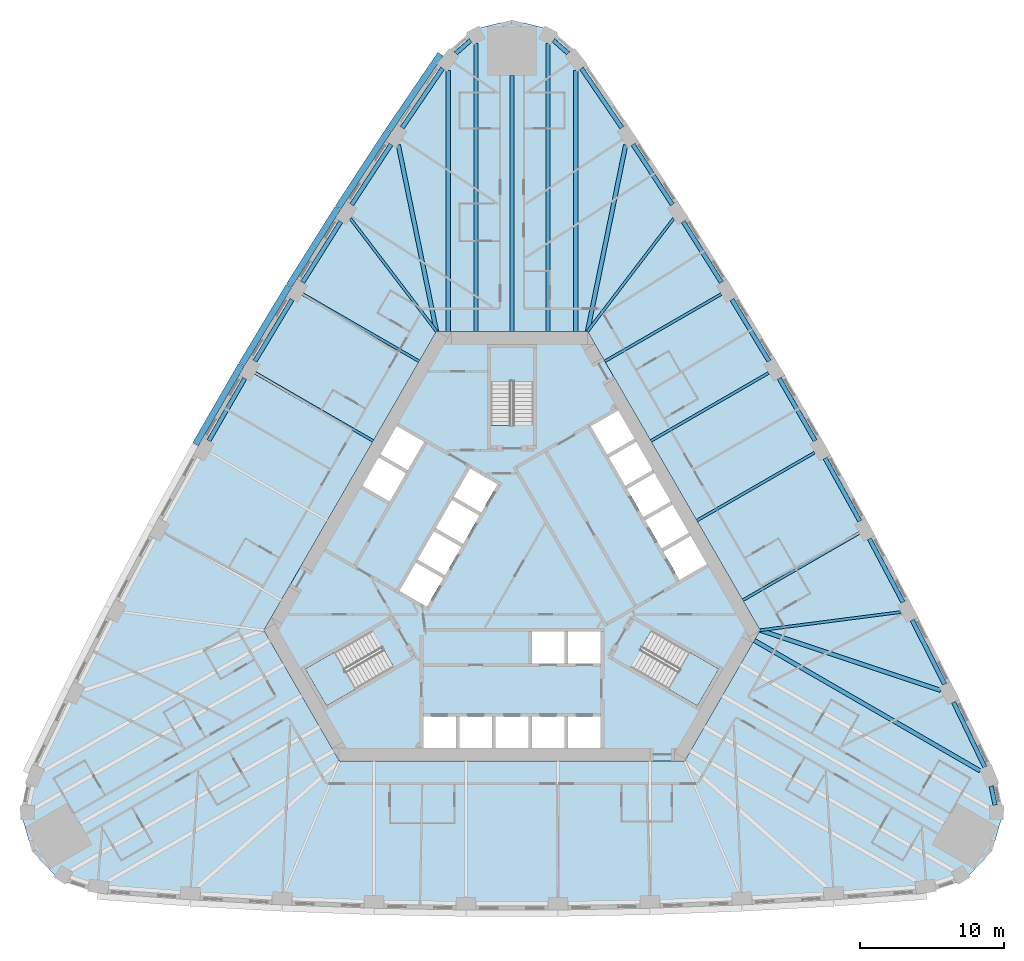
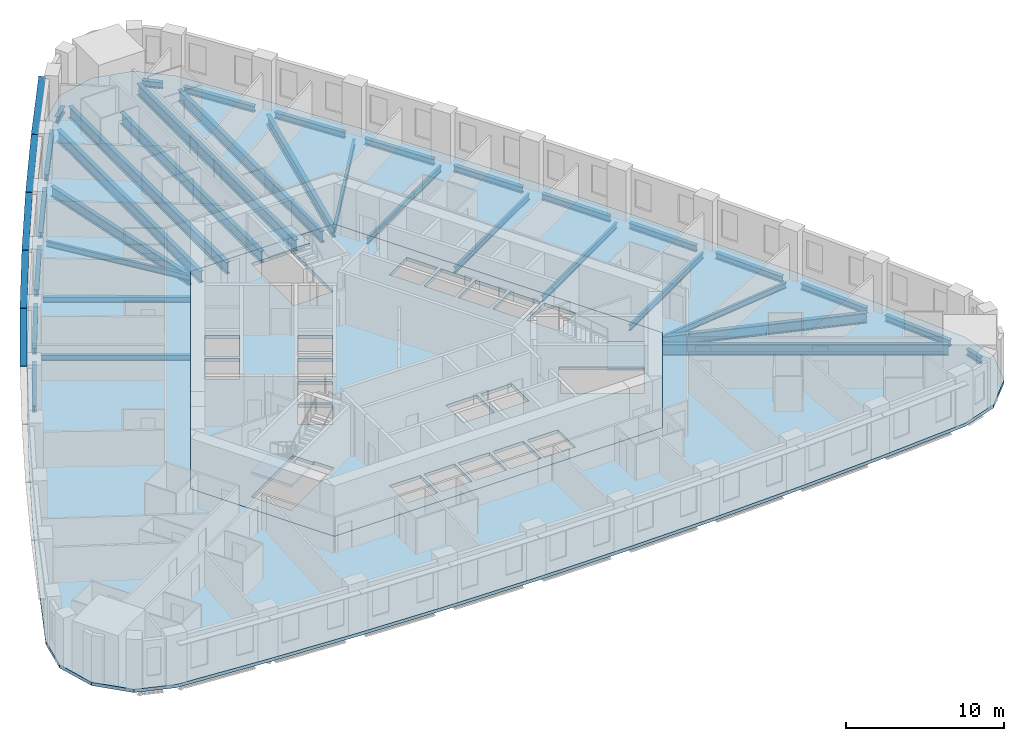
# One storey, part 2 of 13: 35 beams, 5 members, 5 slabs, 3 elements without a shape of their own.
"""IFC4 building model written with IfcOpenShell, lengths in metres."""

from ifc_helpers import new_model, si_unit, direction, frame, origin, origin_2d, place, context, subcontext, project, spatial, polyline, rectangle, i_section, outline, extrude, material, layer, layer_set, material_profile, profile_set, type_object, element, aggregate, save


model = new_model("IFC4")

# Units and contexts
model_context = context("Model", 3, precision=1e-05, world=origin(), true_north=direction((0.0, 1.0)))
body_context = subcontext(model_context, "Body", "Model", "MODEL_VIEW")
ifc_project = project(units=[si_unit("LENGTHUNIT", "METRE"), si_unit("AREAUNIT", "SQUARE_METRE"), si_unit("VOLUMEUNIT", "CUBIC_METRE"), si_unit("PLANEANGLEUNIT", "RADIAN"), si_unit("MASSUNIT", "GRAM", prefix="KILO")], contexts=[model_context])

# Site, building, storey
site_placement = place(None, origin())
site = spatial("IfcSite", under=ifc_project, at=site_placement, CompositionType="ELEMENT")
building_placement = place(site_placement, origin())
building = spatial("IfcBuilding", under=site, at=building_placement, Name="Mestral Congress Tower", CompositionType="ELEMENT")
storey_placement = place(building_placement, frame((0.0, 0.0, 54.89990234375)))
storey = spatial("IfcBuildingStorey", under=building, at=storey_placement, Name="L12", CompositionType="ELEMENT", Elevation=54.89990234375)

# Members
ifc_material_1 = material(Name="Glazed ceramic", Category="masonry")
ifc_material_profile_1 = material_profile(ifc_material_1, rectangle(XDim=0.449951171875, YDim=0.06005859375, at=origin_2d()), Name="Ceramic blade 450 x 60")
ifc_profile_set_1 = profile_set([ifc_material_profile_1], Name="Glazed ceramic")
member_type = type_object("IfcMemberType", Name="Facade sunshade blade 450 x 60", PredefinedType="USERDEFINED", material=ifc_profile_set_1)
member_1_placement = place(storey_placement, frame((-4.973388671875, 36.188232421875, 3.280029296875), z_axis=(-0.562633427576, -0.826706493367, 0.0), x_axis=(0.826706493367, -0.562633427576, 0.0)))
element("IfcMember", 1, at=member_1_placement, inside=storey, type_object=member_type, Name="Sunshade F2-00", ObjectType="SUNSHADE", PredefinedType="USERDEFINED", context=body_context, shape_type="SweptSolid", body=[
    extrude(rectangle(XDim=0.449951171875, YDim=0.06005859375, at=origin_2d()), origin(), (0.0, 0.0, 1.0), 6.4208984375),
])
member_2_placement = place(storey_placement, frame((-8.6103515625, 30.843505859375, 3.280029296875), z_axis=(-0.547211145376, -0.836994601163, 0.0), x_axis=(0.836994601163, -0.547211145376, 0.0)))
element("IfcMember", 2, at=member_2_placement, inside=storey, type_object=member_type, Name="Sunshade F2-01", ObjectType="SUNSHADE", PredefinedType="USERDEFINED", context=body_context, shape_type="SweptSolid", body=[
    extrude(rectangle(XDim=0.449951171875, YDim=0.06005859375, at=origin_2d()), origin(), (0.0, 0.0, 1.0), 6.368408203125),
])
for number, where, z_axis, x_axis, name in (
    (3, (-12.119140625, 25.47607421875, 3.280029296875), (-0.531665815747, -0.846954225662, 0.0), (0.846954225662, -0.531665815747, 0.0), "Sunshade F2-02"),
    (4, (-15.528076171875, 20.044921875, 3.280029296875), (-0.515904518528, -0.856646092481, 0.0), (0.856646092481, -0.515904518528, 0.0), "Sunshade F2-03"),
):
    element("IfcMember", number, at=place(storey_placement, frame(where, z_axis=z_axis, x_axis=x_axis)), inside=storey, type_object=member_type, Name=name, ObjectType="SUNSHADE", PredefinedType="USERDEFINED", context=body_context, shape_type="SweptSolid", body=[
        extrude(rectangle(XDim=0.449951171875, YDim=0.06005859375, at=origin_2d()), origin(), (0.0, 0.0, 1.0), 6.3681640625),
    ])
member_3_placement = place(storey_placement, frame((-18.8359375, 14.5517578125, 3.280029296875), z_axis=(-0.499990149842, -0.866031090701, 0.0), x_axis=(0.866031090701, -0.499990149842, 0.0)))
element("IfcMember", 5, at=member_3_placement, inside=storey, type_object=member_type, Name="Sunshade F2-04", ObjectType="SUNSHADE", PredefinedType="USERDEFINED", context=body_context, shape_type="SweptSolid", body=[
    extrude(rectangle(XDim=0.449951171875, YDim=0.06005859375, at=origin_2d()), origin(), (0.0, 0.0, 1.0), 6.368408203125),
])

# Beams
ifc_material_2 = material(Name="Steel S355", Category="steel")
ifc_material_profile_2 = material_profile(ifc_material_2, i_section(OverallWidth=0.300048828125, OverallDepth=0.800048828125, WebThickness=0.017578125, FlangeThickness=0.032958984375, FilletRadius=0.030029296875, at=origin_2d()), Name="HEB 800")
ifc_profile_set_2 = profile_set([ifc_material_profile_2], Name="Steel S355")
beam_type_1 = type_object("IfcBeamType", Name="Floor beam HEB 800 S355", PredefinedType="BEAM", material=ifc_profile_set_2)
for number, where, z_axis, x_axis, name in (
    (6, (29.8203125, -8.08349609375, -0.64990234375), (-0.948734931285, 0.316072824141, 0.0), (-0.316072824141, -0.948734931285, 0.0), "BM-L12-RB1-E01"),
    (7, (7.90966796875, 29.86669921875, -0.64990234375), (-0.200647311614, -0.979663542418, 0.0), (0.979663542418, -0.200647311614, 0.0), "BM-L12-RB1-E08"),
    (8, (-7.90966796875, 29.86669921875, -0.64990234375), (0.200647311614, -0.979663542418, 0.0), (0.979663542418, 0.200647311614, 0.0), "BM-L12-RB1-W01"),
):
    element("IfcBeam", number, at=place(storey_placement, frame(where, z_axis=z_axis, x_axis=x_axis)), inside=storey, type_object=beam_type_1, Name=name, PredefinedType="BEAM", context=body_context, shape_type="SweptSolid", body=[
        extrude(i_section(OverallWidth=0.300048828125, OverallDepth=0.800048828125, WebThickness=0.017578125, FlangeThickness=0.032958984375, FilletRadius=0.030029296875, at=origin_2d()), origin(), (0.0, 0.0, 1.0), 13.236083984375),
    ])
ifc_material_profile_3 = material_profile(ifc_material_2, i_section(OverallWidth=0.300048828125, OverallDepth=0.89990234375, WebThickness=0.0185546875, FlangeThickness=0.034912109375, FilletRadius=0.030029296875, at=origin_2d()), Name="HEB 900")
ifc_profile_set_3 = profile_set([ifc_material_profile_3], Name="Steel S355")
beam_type_2 = type_object("IfcBeamType", Name="Floor beam HEB 900 S355", PredefinedType="BEAM", material=ifc_profile_set_3)
beam_1_placement = place(storey_placement, frame((32.574462890625, -13.6845703125, -0.699951171875), z_axis=(-0.866029704776, 0.49999255039, 0.0), x_axis=(-0.49999255039, -0.866029704776, 0.0)))
element("IfcBeam", 9, at=beam_1_placement, inside=storey, type_object=beam_type_2, Name="BM-L12-RB1-E00", PredefinedType="BEAM", context=body_context, shape_type="SweptSolid", body=[
    extrude(i_section(OverallWidth=0.300048828125, OverallDepth=0.89990234375, WebThickness=0.0185546875, FlangeThickness=0.034912109375, FilletRadius=0.030029296875, at=origin_2d()), origin(), (0.0, 0.0, 1.0), 18.152587890625),
])
beam_2_placement = place(storey_placement, frame((4.43603515625, 35.052734375, -0.699951171875), z_axis=(0.0, -1.0, 0.0), x_axis=(1.0, 0.0, 0.0)))
element("IfcBeam", 10, at=beam_2_placement, inside=storey, type_object=beam_type_2, Name="BM-L12-RB1-E09", PredefinedType="BEAM", context=body_context, shape_type="SweptSolid", body=[
    extrude(i_section(OverallWidth=0.300048828125, OverallDepth=0.89990234375, WebThickness=0.0185546875, FlangeThickness=0.034912109375, FilletRadius=0.030029296875, at=origin_2d()), origin(), (0.0, 0.0, 1.0), 18.15283203125),
])
beam_3_placement = place(storey_placement, frame((2.503173828125, 36.91943359375, -0.699951171875), z_axis=(0.0, -1.0, 0.0), x_axis=(1.0, 0.0, 0.0)))
element("IfcBeam", 11, at=beam_3_placement, inside=storey, type_object=beam_type_2, Name="BM-L12-RB1-N1", PredefinedType="BEAM", context=body_context, shape_type="SweptSolid", body=[
    extrude(i_section(OverallWidth=0.300048828125, OverallDepth=0.89990234375, WebThickness=0.0185546875, FlangeThickness=0.034912109375, FilletRadius=0.030029296875, at=origin_2d()), origin(), (0.0, 0.0, 1.0), 20.01953125),
])
beam_4_placement = place(storey_placement, frame((0.0, 34.698974609375, -0.699951171875), z_axis=(0.0, -1.0, 0.0), x_axis=(1.0, 0.0, 0.0)))
element("IfcBeam", 12, at=beam_4_placement, inside=storey, type_object=beam_type_2, Name="BM-L12-RB1-N", PredefinedType="BEAM", context=body_context, shape_type="SweptSolid", body=[
    extrude(i_section(OverallWidth=0.300048828125, OverallDepth=0.89990234375, WebThickness=0.0185546875, FlangeThickness=0.034912109375, FilletRadius=0.030029296875, at=origin_2d()), origin(), (0.0, 0.0, 1.0), 17.799072265625),
])
beam_5_placement = place(storey_placement, frame((-2.503173828125, 36.91943359375, -0.699951171875), z_axis=(0.0, -1.0, 0.0), x_axis=(1.0, 0.0, 0.0)))
element("IfcBeam", 13, at=beam_5_placement, inside=storey, type_object=beam_type_2, Name="BM-L12-RB1-N3", PredefinedType="BEAM", context=body_context, shape_type="SweptSolid", body=[
    extrude(i_section(OverallWidth=0.300048828125, OverallDepth=0.89990234375, WebThickness=0.0185546875, FlangeThickness=0.034912109375, FilletRadius=0.030029296875, at=origin_2d()), origin(), (0.0, 0.0, 1.0), 20.01953125),
])
beam_6_placement = place(storey_placement, frame((-4.43603515625, 35.052734375, -0.699951171875), z_axis=(0.0, -1.0, 0.0), x_axis=(1.0, 0.0, 0.0)))
element("IfcBeam", 14, at=beam_6_placement, inside=storey, type_object=beam_type_2, Name="BM-L12-RB1-W00", PredefinedType="BEAM", context=body_context, shape_type="SweptSolid", body=[
    extrude(i_section(OverallWidth=0.300048828125, OverallDepth=0.89990234375, WebThickness=0.0185546875, FlangeThickness=0.034912109375, FilletRadius=0.030029296875, at=origin_2d()), origin(), (0.0, 0.0, 1.0), 18.15283203125),
])
ifc_material_profile_4 = material_profile(ifc_material_2, i_section(OverallWidth=0.18994140625, OverallDepth=0.449951171875, WebThickness=0.009521484375, FlangeThickness=0.0146484375, FilletRadius=0.02099609375, at=origin_2d()), Name="IPE 450")
ifc_profile_set_4 = profile_set([ifc_material_profile_4], Name="Steel S355")
beam_type_3 = type_object("IfcBeamType", Name="Floor beam IPE 450 S355", PredefinedType="BEAM", material=ifc_profile_set_4)
beam_7_placement = place(storey_placement, frame((27.058349609375, -2.6337890625, -0.474853515625), z_axis=(-0.99175011495, -0.128186229747, 0.0), x_axis=(0.128186229747, -0.99175011495, 0.0)))
element("IfcBeam", 15, at=beam_7_placement, inside=storey, type_object=beam_type_3, Name="BM-L12-RB1-E02", PredefinedType="BEAM", context=body_context, shape_type="SweptSolid", body=[
    extrude(i_section(OverallWidth=0.18994140625, OverallDepth=0.449951171875, WebThickness=0.009521484375, FlangeThickness=0.0146484375, FilletRadius=0.02099609375, at=origin_2d()), origin(), (0.0, 0.0, 1.0), 9.877197265625),
])
beam_8_placement = place(storey_placement, frame((24.150634765625, 2.859619140625, -0.474853515625), z_axis=(-0.866032011123, -0.499988555579, 0.0), x_axis=(0.499988555579, -0.866032011123, 0.0)))
element("IfcBeam", 16, at=beam_8_placement, inside=storey, type_object=beam_type_3, Name="BM-L12-RB1-E03", PredefinedType="BEAM", context=body_context, shape_type="SweptSolid", body=[
    extrude(i_section(OverallWidth=0.18994140625, OverallDepth=0.449951171875, WebThickness=0.009521484375, FlangeThickness=0.0146484375, FilletRadius=0.02099609375, at=origin_2d()), origin(), (0.0, 0.0, 1.0), 9.344970703125),
])
for number, where, z_axis, x_axis, name in (
    (17, (21.0537109375, 8.46044921875, -0.474853515625), (-0.866019749231, -0.500009793847, 0.0), (0.500009793847, -0.866019749231, 0.0), "BM-L12-RB1-E04"),
    (18, (17.853759765625, 14.0029296875, -0.474853515625), (-0.866019749231, -0.500009793847, 0.0), (0.500009793847, -0.866019749231, 0.0), "BM-L12-RB1-E05"),
):
    element("IfcBeam", number, at=place(storey_placement, frame(where, z_axis=z_axis, x_axis=x_axis)), inside=storey, type_object=beam_type_3, Name=name, PredefinedType="BEAM", context=body_context, shape_type="SweptSolid", body=[
        extrude(i_section(OverallWidth=0.18994140625, OverallDepth=0.449951171875, WebThickness=0.009521484375, FlangeThickness=0.0146484375, FilletRadius=0.02099609375, at=origin_2d()), origin(), (0.0, 0.0, 1.0), 9.463134765625),
    ])
beam_9_placement = place(storey_placement, frame((14.5517578125, 19.485107421875, -0.474853515625), z_axis=(-0.866025479842, -0.499999868264, 0.0), x_axis=(0.499999868264, -0.866025479842, 0.0)))
element("IfcBeam", 19, at=beam_9_placement, inside=storey, type_object=beam_type_3, Name="BM-L12-RB1-E06", PredefinedType="BEAM", context=body_context, shape_type="SweptSolid", body=[
    extrude(i_section(OverallWidth=0.18994140625, OverallDepth=0.449951171875, WebThickness=0.009521484375, FlangeThickness=0.0146484375, FilletRadius=0.02099609375, at=origin_2d()), origin(), (0.0, 0.0, 1.0), 9.3447265625),
])
for number, where, z_axis, x_axis, name in (
    (20, (11.248291015625, 24.75, -0.474853515625), (-0.606898557801, -0.794779303039, 0.0), (0.794779303039, -0.606898557801, 0.0), "BM-L12-RB1-E07"),
    (21, (-11.248291015625, 24.75, -0.474853515625), (0.606898557801, -0.794779303039, 0.0), (0.794779303039, 0.606898557801, 0.0), "BM-L12-RB1-W02"),
):
    element("IfcBeam", number, at=place(storey_placement, frame(where, z_axis=z_axis, x_axis=x_axis)), inside=storey, type_object=beam_type_3, Name=name, PredefinedType="BEAM", context=body_context, shape_type="SweptSolid", body=[
        extrude(i_section(OverallWidth=0.18994140625, OverallDepth=0.449951171875, WebThickness=0.009521484375, FlangeThickness=0.0146484375, FilletRadius=0.02099609375, at=origin_2d()), origin(), (0.0, 0.0, 1.0), 9.877197265625),
    ])
beam_10_placement = place(storey_placement, frame((-14.5517578125, 19.485107421875, -0.474853515625), z_axis=(0.866025479842, -0.499999868264, 0.0), x_axis=(0.499999868264, 0.866025479842, 0.0)))
element("IfcBeam", 22, at=beam_10_placement, inside=storey, type_object=beam_type_3, Name="BM-L12-RB1-W03", PredefinedType="BEAM", context=body_context, shape_type="SweptSolid", body=[
    extrude(i_section(OverallWidth=0.18994140625, OverallDepth=0.449951171875, WebThickness=0.009521484375, FlangeThickness=0.0146484375, FilletRadius=0.02099609375, at=origin_2d()), origin(), (0.0, 0.0, 1.0), 9.3447265625),
])
beam_11_placement = place(storey_placement, frame((-17.853759765625, 14.0029296875, -0.474853515625), z_axis=(0.866019749231, -0.500009793847, 0.0), x_axis=(0.500009793847, 0.866019749231, 0.0)))
element("IfcBeam", 23, at=beam_11_placement, inside=storey, type_object=beam_type_3, Name="BM-L12-RB1-W04", PredefinedType="BEAM", context=body_context, shape_type="SweptSolid", body=[
    extrude(i_section(OverallWidth=0.18994140625, OverallDepth=0.449951171875, WebThickness=0.009521484375, FlangeThickness=0.0146484375, FilletRadius=0.02099609375, at=origin_2d()), origin(), (0.0, 0.0, 1.0), 9.463134765625),
])
ifc_material_profile_5 = material_profile(ifc_material_2, i_section(OverallWidth=0.300048828125, OverallDepth=0.489990234375, WebThickness=0.011962890625, FlangeThickness=0.02294921875, FilletRadius=0.027099609375, at=origin_2d()), Name="HEA 500")
ifc_profile_set_5 = profile_set([ifc_material_profile_5], Name="Steel S355")
beam_type_4 = type_object("IfcBeamType", Name="Spandrel beam HEA 500 S355", PredefinedType="BEAM", material=ifc_profile_set_5)
beam_12_placement = place(storey_placement, frame((33.611328125, -16.0693359375, -0.494873046875), z_axis=(-0.197991750859, 0.980203686277, 0.0), x_axis=(-0.980203686277, -0.197991750859, 0.0)))
element("IfcBeam", 24, at=beam_12_placement, inside=storey, type_object=beam_type_4, Name="SP-L12-SB1-SE3", PredefinedType="BEAM", context=body_context, shape_type="SweptSolid", body=[
    extrude(i_section(OverallWidth=0.300048828125, OverallDepth=0.489990234375, WebThickness=0.011962890625, FlangeThickness=0.02294921875, FilletRadius=0.027099609375, at=origin_2d()), origin(), (0.0, 0.0, 1.0), 1.3515625),
])
beam_13_placement = place(storey_placement, frame((32.897705078125, -13.415283203125, -0.494873046875), z_axis=(-0.434645244295, 0.900601749727, 0.0), x_axis=(-0.900601749727, -0.434645244295, 0.0)))
element("IfcBeam", 25, at=beam_13_placement, inside=storey, type_object=beam_type_4, Name="SP-L12-SB1-E00", PredefinedType="BEAM", context=body_context, shape_type="SweptSolid", body=[
    extrude(i_section(OverallWidth=0.300048828125, OverallDepth=0.489990234375, WebThickness=0.011962890625, FlangeThickness=0.02294921875, FilletRadius=0.027099609375, at=origin_2d()), origin(), (0.0, 0.0, 1.0), 4.998046875),
])
beam_14_placement = place(storey_placement, frame((30.105224609375, -7.658935546875, -0.494873046875), z_axis=(-0.45123261425, 0.892406369227, 0.0), x_axis=(-0.892406369227, -0.45123261425, 0.0)))
element("IfcBeam", 26, at=beam_14_placement, inside=storey, type_object=beam_type_4, Name="SP-L12-SB1-E01", PredefinedType="BEAM", context=body_context, shape_type="SweptSolid", body=[
    extrude(i_section(OverallWidth=0.300048828125, OverallDepth=0.489990234375, WebThickness=0.011962890625, FlangeThickness=0.02294921875, FilletRadius=0.027099609375, at=origin_2d()), origin(), (0.0, 0.0, 1.0), 4.999755859375),
])
beam_15_placement = place(storey_placement, frame((27.2060546875, -1.95361328125, -0.494873046875), z_axis=(-0.467681307417, 0.883897162962, 0.0), x_axis=(-0.883897162962, -0.467681307417, 0.0)))
element("IfcBeam", 27, at=beam_15_placement, inside=storey, type_object=beam_type_4, Name="SP-L12-SB1-E02", PredefinedType="BEAM", context=body_context, shape_type="SweptSolid", body=[
    extrude(i_section(OverallWidth=0.300048828125, OverallDepth=0.489990234375, WebThickness=0.011962890625, FlangeThickness=0.02294921875, FilletRadius=0.027099609375, at=origin_2d()), origin(), (0.0, 0.0, 1.0), 5.0),
])
for number, where, z_axis, x_axis, name in (
    (28, (24.20166015625, 3.697265625, -0.494873046875), (-0.483900688062, 0.875122919419, 0.0), (-0.875122919419, -0.483900688062, 0.0), "SP-L12-SB1-E03"),
    (29, (21.093505859375, 9.291748046875, -0.494873046875), (-0.50002537861, 0.866010750942, 0.0), (-0.866010750942, -0.50002537861, 0.0), "SP-L12-SB1-E04"),
    (30, (17.88232421875, 14.82763671875, -0.494873046875), (-0.515938385622, 0.85662569553, 0.0), (-0.85662569553, -0.515938385622, 0.0), "SP-L12-SB1-E05"),
    (31, (14.5693359375, 20.302978515625, -0.494873046875), (-0.531661433361, 0.846956976639, 0.0), (-0.846956976639, -0.531661433361, 0.0), "SP-L12-SB1-E06"),
):
    element("IfcBeam", number, at=place(storey_placement, frame(where, z_axis=z_axis, x_axis=x_axis)), inside=storey, type_object=beam_type_4, Name=name, PredefinedType="BEAM", context=body_context, shape_type="SweptSolid", body=[
        extrude(i_section(OverallWidth=0.300048828125, OverallDepth=0.489990234375, WebThickness=0.011962890625, FlangeThickness=0.02294921875, FilletRadius=0.027099609375, at=origin_2d()), origin(), (0.0, 0.0, 1.0), 4.999755859375),
    ])
beam_16_placement = place(storey_placement, frame((11.156005859375, 25.716552734375, -0.494873046875), z_axis=(-0.547263834194, 0.836960151849, 0.0), x_axis=(-0.836960151849, -0.547263834194, 0.0)))
element("IfcBeam", 32, at=beam_16_placement, inside=storey, type_object=beam_type_4, Name="SP-L12-SB1-E07", PredefinedType="BEAM", context=body_context, shape_type="SweptSolid", body=[
    extrude(i_section(OverallWidth=0.300048828125, OverallDepth=0.489990234375, WebThickness=0.011962890625, FlangeThickness=0.02294921875, FilletRadius=0.027099609375, at=origin_2d()), origin(), (0.0, 0.0, 1.0), 5.0),
])
beam_17_placement = place(storey_placement, frame((7.642822265625, 31.06591796875, -0.494873046875), z_axis=(-0.562610596841, 0.826722030868, 0.0), x_axis=(-0.826722030868, -0.562610596841, 0.0)))
element("IfcBeam", 33, at=beam_17_placement, inside=storey, type_object=beam_type_4, Name="SP-L12-SB1-E08", PredefinedType="BEAM", context=body_context, shape_type="SweptSolid", body=[
    extrude(i_section(OverallWidth=0.300048828125, OverallDepth=0.489990234375, WebThickness=0.011962890625, FlangeThickness=0.02294921875, FilletRadius=0.027099609375, at=origin_2d()), origin(), (0.0, 0.0, 1.0), 4.998046875),
])
for number, where, z_axis, x_axis, name in (
    (34, (3.902587890625, 36.248779296875, -0.494873046875), (-0.749806226219, 0.661657481725, 0.0), (-0.661657481725, -0.749806226219, 0.0), "SP-L12-SB1-E09"),
    (35, (-2.88916015625, 37.14306640625, -0.494873046875), (-0.749806226219, -0.661657481725, 0.0), (0.661657481725, -0.749806226219, 0.0), "SP-L12-SB1-N3"),
):
    element("IfcBeam", number, at=place(storey_placement, frame(where, z_axis=z_axis, x_axis=x_axis)), inside=storey, type_object=beam_type_4, Name=name, PredefinedType="BEAM", context=body_context, shape_type="SweptSolid", body=[
        extrude(i_section(OverallWidth=0.300048828125, OverallDepth=0.489990234375, WebThickness=0.011962890625, FlangeThickness=0.02294921875, FilletRadius=0.027099609375, at=origin_2d()), origin(), (0.0, 0.0, 1.0), 1.3515625),
    ])
beam_18_placement = place(storey_placement, frame((-4.830810546875, 35.197998046875, -0.494873046875), z_axis=(-0.562610596841, -0.826722030868, 0.0), x_axis=(0.826722030868, -0.562610596841, 0.0)))
element("IfcBeam", 36, at=beam_18_placement, inside=storey, type_object=beam_type_4, Name="SP-L12-SB1-W00", PredefinedType="BEAM", context=body_context, shape_type="SweptSolid", body=[
    extrude(i_section(OverallWidth=0.300048828125, OverallDepth=0.489990234375, WebThickness=0.011962890625, FlangeThickness=0.02294921875, FilletRadius=0.027099609375, at=origin_2d()), origin(), (0.0, 0.0, 1.0), 4.998046875),
])
beam_19_placement = place(storey_placement, frame((-8.419677734375, 29.9013671875, -0.494873046875), z_axis=(-0.547263834194, -0.836960151849, 0.0), x_axis=(0.836960151849, -0.547263834194, 0.0)))
element("IfcBeam", 37, at=beam_19_placement, inside=storey, type_object=beam_type_4, Name="SP-L12-SB1-W01", PredefinedType="BEAM", context=body_context, shape_type="SweptSolid", body=[
    extrude(i_section(OverallWidth=0.300048828125, OverallDepth=0.489990234375, WebThickness=0.011962890625, FlangeThickness=0.02294921875, FilletRadius=0.027099609375, at=origin_2d()), origin(), (0.0, 0.0, 1.0), 5.0),
])
for number, where, z_axis, x_axis, name in (
    (38, (-11.9111328125, 24.53759765625, -0.494873046875), (-0.531661433361, -0.846956976639, 0.0), (0.846956976639, -0.531661433361, 0.0), "SP-L12-SB1-W02"),
    (39, (-15.302734375, 19.110595703125, -0.494873046875), (-0.515938385622, -0.85662569553, 0.0), (0.85662569553, -0.515938385622, 0.0), "SP-L12-SB1-W03"),
    (40, (-18.593505859375, 13.62158203125, -0.494873046875), (-0.50002537861, -0.866010750942, 0.0), (0.866010750942, -0.50002537861, 0.0), "SP-L12-SB1-W04"),
):
    element("IfcBeam", number, at=place(storey_placement, frame(where, z_axis=z_axis, x_axis=x_axis)), inside=storey, type_object=beam_type_4, Name=name, PredefinedType="BEAM", context=body_context, shape_type="SweptSolid", body=[
        extrude(i_section(OverallWidth=0.300048828125, OverallDepth=0.489990234375, WebThickness=0.011962890625, FlangeThickness=0.02294921875, FilletRadius=0.027099609375, at=origin_2d()), origin(), (0.0, 0.0, 1.0), 4.999755859375),
    ])

# Slabs
ifc_material_3 = material(Name="Concrete C35/45", Category="concrete")
ifc_layer_1 = layer(ifc_material_3, 0.25)
ifc_layer_set_1 = layer_set([ifc_layer_1], Name="Concrete C35/45")
slab_type_1 = type_object("IfcSlabType", Name="Composite floor slab 250", PredefinedType="FLOOR", material=ifc_layer_set_1)
placement_1 = place(storey_placement, frame((0.0, 0.0, -0.25)))
element("IfcSlab", 41, at=placement_1, inside=storey, type_object=slab_type_1, Name="SL-L12", PredefinedType="FLOOR", context=body_context, shape_type="SweptSolid", body=[
    extrude(outline(polyline([(-28.8564453125, -22.17529296875), (-31.45849609375, -21.301025390625), (-33.39599609375, -19.28125), (-34.176513671875, -16.59326171875), (-33.6328125, -13.90283203125), (-30.824462890625, -8.084228515625), (-27.93310546875, -2.365478515625), (-24.936279296875, 3.298828125), (-21.835205078125, 8.90673828125), (-18.631103515625, 14.45654296875), (-15.324951171875, 19.946044921875), (-11.91796875, 25.373291015625), (-8.4111328125, 30.737060546875), (-4.776123046875, 36.078125), (-2.718017578125, 37.894287109375), (0.0, 38.562255859375), (2.718017578125, 37.894287109375), (4.776123046875, 36.078125), (8.4111328125, 30.737060546875), (11.91796875, 25.373291015625), (15.324951171875, 19.946044921875), (18.631103515625, 14.45654296875), (21.835205078125, 8.90673828125), (24.936279296875, 3.298828125), (27.93310546875, -2.365478515625), (30.824462890625, -8.084228515625), (33.6328125, -13.90283203125), (34.176513671875, -16.59326171875), (33.39599609375, -19.28125), (31.45849609375, -21.301025390625), (28.8564453125, -22.17529296875), (22.41357421875, -22.652587890625), (16.01513671875, -23.0078125), (9.611083984375, -23.244873046875), (3.2041015625, -23.36328125), (-3.2041015625, -23.36328125), (-9.611083984375, -23.244873046875), (-16.01513671875, -23.0078125), (-22.41357421875, -22.652587890625), (-28.8564453125, -22.17529296875)]), holes=[polyline([(-5.25390625, 16.89990234375), (-17.2626953125, -3.89990234375), (-12.0087890625, -13.0), (12.0087890625, -13.0), (17.2626953125, -3.89990234375), (5.25390625, 16.89990234375), (-5.25390625, 16.89990234375)])]), origin(), (0.0, 0.0, 1.0), 0.25),
])
ifc_material_4 = material(Name="Concrete C60/75", Category="concrete")
ifc_layer_2 = layer(ifc_material_4, 0.25)
ifc_layer_set_2 = layer_set([ifc_layer_2], Name="Concrete C60/75")
slab_type_2 = type_object("IfcSlabType", Name="Core floor slab RC 250", PredefinedType="FLOOR", material=ifc_layer_set_2)
element("IfcSlab", 42, at=placement_1, inside=storey, type_object=slab_type_2, Name="L12 core floor", PredefinedType="FLOOR", context=body_context, shape_type="SweptSolid", body=[
    extrude(outline(polyline([(12.0087890625, -13.0), (-12.0087890625, -13.0), (-17.2626953125, -3.89990234375), (-5.25390625, 16.89990234375), (5.25390625, 16.89990234375), (17.2626953125, -3.89990234375), (12.0087890625, -13.0)]), holes=[polyline([(-3.905029296875, -9.89990234375), (-6.175048828125, -9.89990234375), (-6.175048828125, -12.10009765625), (-3.905029296875, -12.10009765625), (-3.905029296875, -9.89990234375)]), polyline([(-1.385009765625, -9.89990234375), (-3.655029296875, -9.89990234375), (-3.655029296875, -12.10009765625), (-1.385009765625, -12.10009765625), (-1.385009765625, -9.89990234375)]), polyline([(1.135009765625, -9.89990234375), (-1.135009765625, -9.89990234375), (-1.135009765625, -12.10009765625), (1.135009765625, -12.10009765625), (1.135009765625, -9.89990234375)]), polyline([(-9.0673828125, -5.235107421875), (-9.8046875, -3.95751953125), (-14.37744140625, -6.59765625), (-12.90234375, -9.15234375), (-8.234619140625, -6.45751953125), (-8.971923828125, -5.179931640625), (-9.0673828125, -5.235107421875)]), polyline([(-7.826904296875, -1.156494140625), (-5.921630859375, -2.256591796875), (-4.78662109375, -0.29052734375), (-6.69189453125, 0.809326171875), (-7.826904296875, -1.156494140625)]), polyline([(-4.66162109375, -0.07421875), (-3.526611328125, 1.8916015625), (-5.431884765625, 2.99169921875), (-6.56689453125, 1.02587890625), (-4.66162109375, -0.07421875)]), polyline([(-3.401611328125, 2.1083984375), (-2.2666015625, 4.07421875), (-4.171875, 5.174072265625), (-5.306884765625, 3.208251953125), (-3.401611328125, 2.1083984375)]), polyline([(-2.1416015625, 4.29052734375), (-1.006591796875, 6.256591796875), (-2.911865234375, 7.3564453125), (-4.046875, 5.390625), (-2.1416015625, 4.29052734375)]), polyline([(-10.41650390625, 6.158203125), (-8.51123046875, 5.058349609375), (-7.376220703125, 7.024169921875), (-9.281494140625, 8.1240234375), (-10.41650390625, 6.158203125)]), polyline([(-9.156494140625, 8.340576171875), (-7.251220703125, 7.240478515625), (-6.1162109375, 9.20654296875), (-8.021484375, 10.306396484375), (-9.156494140625, 8.340576171875)]), polyline([(1.47509765625, 10.469970703125), (1.47509765625, 15.75), (-1.47509765625, 15.75), (-1.47509765625, 10.360107421875), (0.0, 10.360107421875), (0.0, 10.469970703125), (1.47509765625, 10.469970703125)]), polyline([(3.655029296875, -9.89990234375), (1.385009765625, -9.89990234375), (1.385009765625, -12.10009765625), (3.655029296875, -12.10009765625), (3.655029296875, -9.89990234375)]), polyline([(6.175048828125, -9.89990234375), (3.905029296875, -9.89990234375), (3.905029296875, -12.10009765625), (6.175048828125, -12.10009765625), (6.175048828125, -9.89990234375)]), polyline([(9.0673828125, -5.235107421875), (8.329833984375, -6.512451171875), (12.90234375, -9.15234375), (14.37744140625, -6.59765625), (9.70947265625, -3.902587890625), (8.971923828125, -5.179931640625), (9.0673828125, -5.235107421875)]), polyline([(3.655029296875, -6.199951171875), (3.655029296875, -4.0), (1.385009765625, -4.0), (1.385009765625, -6.199951171875), (3.655029296875, -6.199951171875)]), polyline([(6.175048828125, -4.0), (3.905029296875, -4.0), (3.905029296875, -6.199951171875), (6.175048828125, -6.199951171875), (6.175048828125, -4.0)]), polyline([(12.431396484375, 2.668212890625), (10.526123046875, 1.568115234375), (11.6611328125, -0.397705078125), (13.56640625, 0.702392578125), (12.431396484375, 2.668212890625)]), polyline([(11.17138671875, 4.8505859375), (9.26611328125, 3.75048828125), (10.401123046875, 1.78466796875), (12.306396484375, 2.884765625), (11.17138671875, 4.8505859375)]), polyline([(8.006103515625, 5.932861328125), (9.14111328125, 3.967041015625), (11.04638671875, 5.067138671875), (9.911376953125, 7.032958984375), (8.006103515625, 5.932861328125)]), polyline([(8.6513671875, 9.21533203125), (6.74609375, 8.115234375), (7.881103515625, 6.1494140625), (9.786376953125, 7.24951171875), (8.6513671875, 9.21533203125)]), polyline([(7.391357421875, 11.397705078125), (5.486083984375, 10.297607421875), (6.62109375, 8.331787109375), (8.5263671875, 9.431884765625), (7.391357421875, 11.397705078125)])]), origin(), (0.0, 0.0, 1.0), 0.25),
])

# Stair, slab
stair_type = type_object("IfcStairType", Name="Exit stair 1400", PredefinedType="HALF_TURN_STAIR", material=ifc_material_4)
placement_2 = place(storey_placement, origin())
stair_1 = element("IfcStair", 43, at=placement_2, inside=storey, type_object=stair_type, Name="L12 ST1", PredefinedType="HALF_TURN_STAIR")
ifc_layer_3 = layer(ifc_material_4, 0.199951171875)
ifc_layer_set_3 = layer_set([ifc_layer_3], Name="Concrete C60/75")
slab_type_3 = type_object("IfcSlabType", Name="Exit stair landing 200", PredefinedType="LANDING", material=ifc_layer_set_3)
placement_3 = place(storey_placement, frame((0.0, 0.0, 1.75)))
slab_3 = element("IfcSlab", 44, at=placement_3, type_object=slab_type_3, Name="ST1 landing 1", PredefinedType="LANDING", context=body_context, shape_type="SweptSolid", body=[
    extrude(outline(polyline([(10.879638671875, -7.99609375), (12.364501953125, -5.424072265625), (14.39111328125, -6.593994140625), (12.906005859375, -9.166015625), (10.879638671875, -7.99609375)])), origin(), (0.0, 0.0, 1.0), 0.2001953125),
])
aggregate(stair_1, [slab_3])

stair_2 = element("IfcStair", 45, at=placement_2, inside=storey, type_object=stair_type, Name="L12 ST2", PredefinedType="HALF_TURN_STAIR")
slab_4 = element("IfcSlab", 46, at=placement_3, type_object=slab_type_3, Name="ST2 landing 1", PredefinedType="LANDING", context=body_context, shape_type="SweptSolid", body=[
    extrude(outline(polyline([(1.485107421875, 13.419921875), (-1.485107421875, 13.419921875), (-1.485107421875, 15.760009765625), (1.485107421875, 15.760009765625), (1.485107421875, 13.419921875)])), origin(), (0.0, 0.0, 1.0), 0.2001953125),
])
aggregate(stair_2, [slab_4])

stair_3 = element("IfcStair", 47, at=placement_2, inside=storey, type_object=stair_type, Name="L12 ST3", PredefinedType="HALF_TURN_STAIR")
slab_5 = element("IfcSlab", 48, at=placement_3, type_object=slab_type_3, Name="ST3 landing 1", PredefinedType="LANDING", context=body_context, shape_type="SweptSolid", body=[
    extrude(outline(polyline([(-12.364501953125, -5.424072265625), (-10.879638671875, -7.99609375), (-12.906005859375, -9.166015625), (-14.39111328125, -6.593994140625), (-12.364501953125, -5.424072265625)])), origin(), (0.0, 0.0, 1.0), 0.2001953125),
])
aggregate(stair_3, [slab_5])

save(model, "model.ifc")
